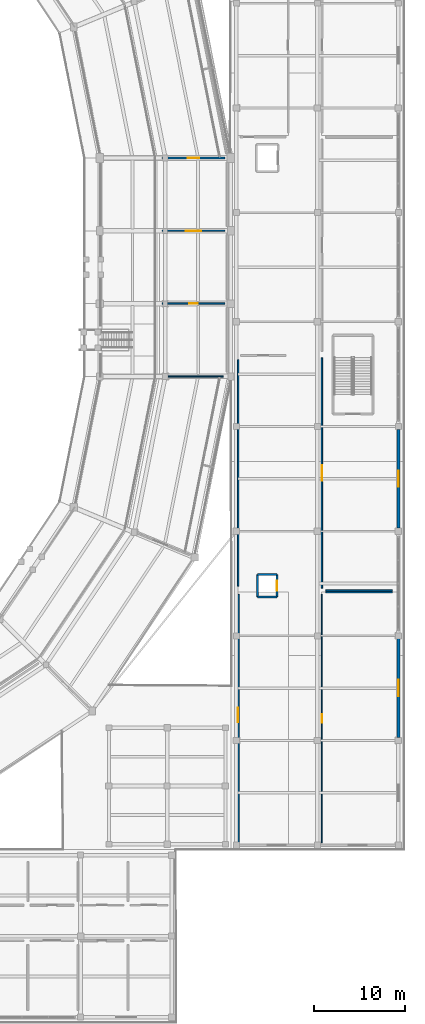
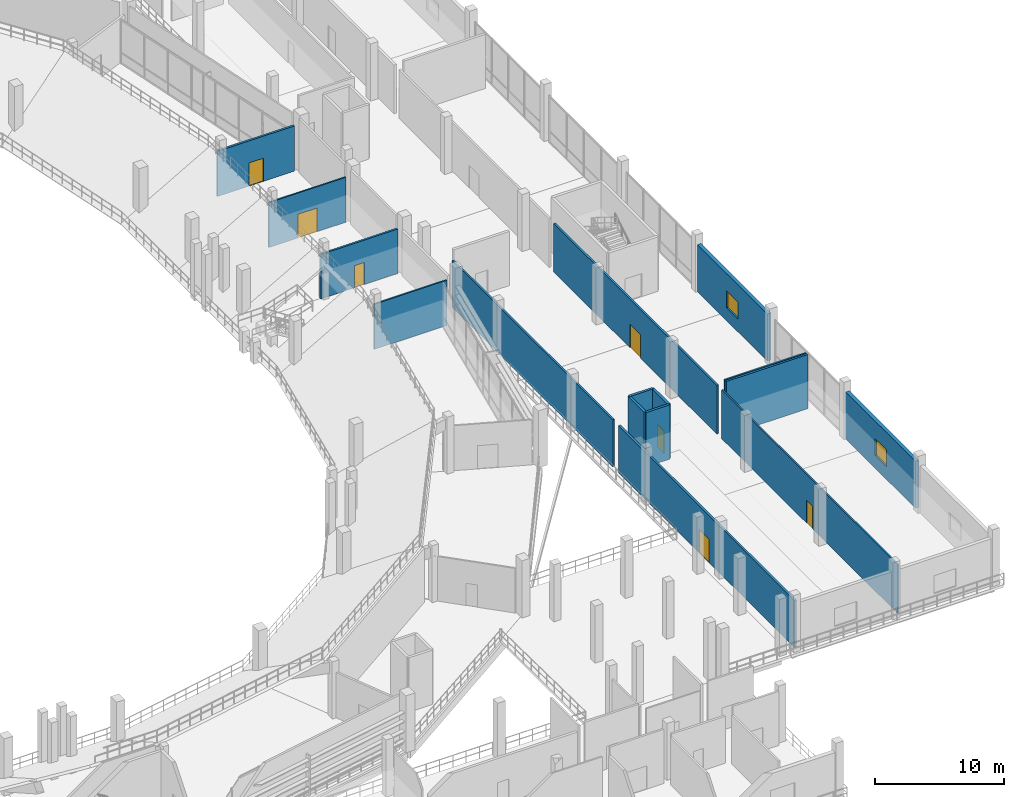
# One storey, part 80 of 127: 16 walls, 7 doors, 2 windows, 9 openings.
"""IFC4 building model written with IfcOpenShell, lengths in metres."""

import ifcopenshell
import ifcopenshell.guid

model = None  # the IFC model being written
_history = None  # IfcOwnerHistory: only IFC2X3 demands one
_inside = {}  # id of a spatial element -> (the spatial element, [elements in it])
_under = {}  # id of a project, library or spatial element -> (it, [spatial elements below it])
_declared = {}  # id of a project -> (the project, [libraries it declares])
_typed = {}  # id of a type object -> (the type object, [elements of that type])
_made_of = {}  # id of a material, layer set ... -> (it, [elements and type objects made of it])


def new_model(schema):
    """Start an empty IFC model of exactly this schema.

    Asked for "IFC4X3", IfcOpenShell would pick the latest addendum, in which some entities
    have other attributes; the version numbers below select the first issue.
    IFC2X3 requires an IfcOwnerHistory on every rooted entity: one is made here for all.
    """
    global model, _history
    if schema == "IFC4X3":
        model = ifcopenshell.file(schema_version=(4, 3, 0, 0))
    else:
        model = ifcopenshell.file(schema=schema)
    _inside.clear()
    _under.clear()
    _declared.clear()
    _typed.clear()
    _made_of.clear()
    _history = None
    if model.schema == "IFC2X3":
        org = make("IfcOrganization", Name="unknown")
        user = make(
            "IfcPersonAndOrganization",
            ThePerson=make("IfcPerson", FamilyName="unknown"),
            TheOrganization=org,
        )
        app = make(
            "IfcApplication",
            ApplicationDeveloper=org,
            Version="unknown",
            ApplicationFullName="unknown",
            ApplicationIdentifier="unknown",
        )
        _history = make(
            "IfcOwnerHistory",
            OwningUser=user,
            OwningApplication=app,
            ChangeAction="ADDED",
            CreationDate=0,
        )
    return model


def make(cls, **values):
    """One entity of the class cls with the attributes given. An attribute that is None is left unset."""
    return model.create_entity(
        cls, **{name: value for name, value in values.items() if value is not None}
    )


def rooted(cls, **values):
    """An entity with a GlobalId (a new one), such as an element, a storey or a relation."""
    return make(cls, GlobalId=ifcopenshell.guid.new(), OwnerHistory=_history, **values)


def si_unit(unit_type, name, prefix=None):
    """IfcSIUnit, for example si_unit("LENGTHUNIT", "METRE", prefix="MILLI")."""
    return make("IfcSIUnit", UnitType=unit_type, Prefix=prefix, Name=name)


def assignment(units):
    """IfcUnitAssignment: the units of a project."""
    return None if units is None else make("IfcUnitAssignment", Units=units)


def point(xyz):
    """IfcCartesianPoint."""
    return None if xyz is None else make("IfcCartesianPoint", Coordinates=xyz)


def direction(xyz):
    """IfcDirection."""
    return None if xyz is None else make("IfcDirection", DirectionRatios=xyz)


def frame(location, z_axis=None, x_axis=None):
    """IfcAxis2Placement3D, a coordinate frame: its origin and axes. An axis left out is left unset."""
    return make(
        "IfcAxis2Placement3D",
        Location=point(location),
        Axis=direction(z_axis),
        RefDirection=direction(x_axis),
    )


def frame_2d(location, x_axis=None):
    """IfcAxis2Placement2D, a coordinate frame in the plane: its origin and x axis."""
    return make(
        "IfcAxis2Placement2D", Location=point(location), RefDirection=direction(x_axis)
    )


def origin():
    """The frame at (0, 0, 0) with its axes left unset."""
    return frame((0.0, 0.0, 0.0))


def place(relative_to, where):
    """IfcLocalPlacement: puts the frame where relative to a parent placement (None: the world)."""
    return make(
        "IfcLocalPlacement", PlacementRelTo=relative_to, RelativePlacement=where
    )


def context(
    kind, dimensions, precision=None, world=None, true_north=None, identifier=None
):
    """IfcGeometricRepresentationContext, for example the 3D "Model" context."""
    return make(
        "IfcGeometricRepresentationContext",
        ContextIdentifier=identifier,
        ContextType=kind,
        CoordinateSpaceDimension=dimensions,
        Precision=precision,
        WorldCoordinateSystem=world,
        TrueNorth=true_north,
    )


def subcontext(parent, identifier, kind, view, scale=None):
    """IfcGeometricRepresentationSubContext, for example "Body" below "Model"."""
    return make(
        "IfcGeometricRepresentationSubContext",
        ContextIdentifier=identifier,
        ContextType=kind,
        ParentContext=parent,
        TargetScale=scale,
        TargetView=view,
    )


def project(units=None, contexts=None):
    """IfcProject with its units and contexts."""
    return rooted(
        "IfcProject",
        Name="project",
        RepresentationContexts=contexts,
        UnitsInContext=assignment(units),
    )


def spatial(cls, under=None, at=None, **own):
    """A site, building, storey or space (cls), placed at a placement, below another one or the project."""
    s = rooted(cls, ObjectPlacement=at, **own)
    if under is not None:
        _under.setdefault(under.id(), (under, []))[1].append(s)
    return s


def profile(cls, at=None, kind="AREA", **sizes):
    """A parametric profile (cls). Its sizes go by their IFC names, for example OverallWidth=200.0."""
    return make(cls, ProfileType=kind, Position=at, **sizes)


def rectangle(**sizes):
    """IfcRectangleProfileDef."""
    return profile("IfcRectangleProfileDef", **sizes)


def extrude(swept, where, along, depth):
    """IfcExtrudedAreaSolid: the profile swept, set in the frame where, extruded along a direction by depth."""
    return make(
        "IfcExtrudedAreaSolid",
        SweptArea=swept,
        Position=where,
        ExtrudedDirection=direction(along),
        Depth=depth,
    )


def shape(context_of_items, identifier, shape_type, items):
    """IfcShapeRepresentation: the items that make up one representation, for example the "Body"."""
    return make(
        "IfcShapeRepresentation",
        ContextOfItems=context_of_items,
        RepresentationIdentifier=identifier,
        RepresentationType=shape_type,
        Items=items,
    )


def material(Name=None, Category=None):
    """IfcMaterial."""
    return make("IfcMaterial", Name=Name, Category=Category)


def layer(
    of_material, thickness, ventilated=None, Name=None, Category=None, Priority=None
):
    """IfcMaterialLayer: one layer of a wall or slab, of a material (None: an air gap)."""
    return make(
        "IfcMaterialLayer",
        Material=of_material,
        LayerThickness=thickness,
        IsVentilated=ventilated,
        Name=Name,
        Category=Category,
        Priority=Priority,
    )


def layer_set(layers, Name=None):
    """IfcMaterialLayerSet."""
    return make("IfcMaterialLayerSet", MaterialLayers=layers, LayerSetName=Name)


def made_of(thing, what):
    """Note that an element or type object is made of a material, layer set ...; save() writes the relation."""
    if what is not None:
        _made_of.setdefault(what.id(), (what, []))[1].append(thing)
    return thing


def type_object(cls, material=None, **own):
    """A type object (cls), such as IfcWallType, which elements share."""
    return made_of(rooted(cls, **own), material)


def element(
    cls,
    number,
    at=None,
    inside=None,
    cuts=None,
    type_object=None,
    material=None,
    context=None,
    identifier="Body",
    shape_type=None,
    held_by="IfcProductDefinitionShape",
    body=None,
    shapes=None,
    **own,
):
    """One element of the class cls, such as IfcWall. Its Tag is "e" and its number.

    at: its placement. inside: the storey or other place that contains it. cuts: it is an
    opening in that element (IfcRelVoidsElement). A single representation is given by context,
    identifier, shape_type and body (its items); several are given by shapes. held_by: the class
    of the entity that holds the representations. save() writes the other relations.
    """
    e = rooted(cls, Tag="e%d" % number, ObjectPlacement=at, **own)
    if body is not None:
        shapes = [shape(context, identifier, shape_type, body)]
    if shapes is not None:
        e.Representation = make(held_by, Representations=shapes)
    if inside is not None:
        _inside.setdefault(inside.id(), (inside, []))[1].append(e)
    if cuts is not None:
        rooted(
            "IfcRelVoidsElement", RelatingBuildingElement=cuts, RelatedOpeningElement=e
        )
    if type_object is not None:
        _typed.setdefault(type_object.id(), (type_object, []))[1].append(e)
    return made_of(e, material)


def fill(opening, filler):
    """IfcRelFillsElement: the door or window that sits in an opening."""
    return rooted(
        "IfcRelFillsElement",
        RelatingOpeningElement=opening,
        RelatedBuildingElement=filler,
    )


def aggregate(whole, parts):
    """IfcRelAggregates: a whole, such as a stair, and the parts it consists of."""
    return rooted("IfcRelAggregates", RelatingObject=whole, RelatedObjects=parts)


def save(model, path):
    """Write the relations noted so far, then the file.

    IfcRelAggregates (storeys below a building ...), IfcRelContainedInSpatialStructure (elements
    in a storey), IfcRelDefinesByType, IfcRelAssociatesMaterial and IfcRelDeclares: one each for
    every whole, place, type object, material and project.
    """
    for whole, parts in _under.values():
        aggregate(whole, parts)
    for where, things in _inside.values():
        rooted(
            "IfcRelContainedInSpatialStructure",
            RelatedElements=things,
            RelatingStructure=where,
        )
    for kind, things in _typed.values():
        rooted("IfcRelDefinesByType", RelatedObjects=things, RelatingType=kind)
    for what, things in _made_of.values():
        rooted("IfcRelAssociatesMaterial", RelatedObjects=things, RelatingMaterial=what)
    for by, libraries in _declared.values():
        rooted("IfcRelDeclares", RelatingContext=by, RelatedDefinitions=libraries)
    model.write(path)


model = new_model("IFC4")

# Units and contexts
model_context = context("Model", 3, precision=1e-05, world=origin(), true_north=direction((0.0, 1.0)))
body_context = subcontext(model_context, "Body", "Model", "MODEL_VIEW")
ifc_project = project(units=[si_unit("LENGTHUNIT", "METRE"), si_unit("AREAUNIT", "SQUARE_METRE"), si_unit("VOLUMEUNIT", "CUBIC_METRE"), si_unit("PLANEANGLEUNIT", "RADIAN"), si_unit("MASSUNIT", "GRAM", prefix="KILO")], contexts=[model_context])

# Site, building, storey
site_placement = place(None, origin())
site = spatial("IfcSite", under=ifc_project, at=site_placement, CompositionType="ELEMENT")
building_placement = place(site_placement, origin())
building = spatial("IfcBuilding", under=site, at=building_placement, Name="Candeia Ridge Stadium", CompositionType="ELEMENT")
storey_placement = place(building_placement, frame((0.0, 0.0, 10.800048828125)))
storey = spatial("IfcBuildingStorey", under=building, at=storey_placement, Name="L02", CompositionType="ELEMENT", Elevation=10.800048828125)

# Wall
ifc_material_1 = material(Name="Concrete Masonry Blockwork C25/30", Category="masonry")
ifc_layer_1 = layer(ifc_material_1, 0.14990234375, Name="Concrete Masonry Blockwork C25/30", Category="masonry")
ifc_layer_set_1 = layer_set([ifc_layer_1], Name="Concrete Masonry Blockwork C25/30")
wall_type_1 = type_object("IfcWallType", Name="Concourse Kiosk Partition 150", PredefinedType="PARTITIONING", material=ifc_layer_set_1)
wall_1_placement = place(storey_placement, frame((210.75, 47.5, 0.0), z_axis=(0.0, 0.0, 1.0), x_axis=(-1.0, 0.0, 0.0)))
element("IfcWall", 1, at=wall_1_placement, inside=storey, type_object=wall_type_1, Name="Demising partition PT-L02-0363", PredefinedType="PARTITIONING", context=body_context, shape_type="SweptSolid", body=[
    extrude(rectangle(XDim=7.300048828125, YDim=0.14990234375, at=frame_2d((3.64990234375, 0.0))), origin(), (0.0, 0.0, 1.0), 5.119873046875),
])

# Wall, opening, window
ifc_material_2 = material(Name="Concrete C35/45", Category="concrete")
ifc_layer_2 = layer(ifc_material_2, 0.320068359375, Name="Concrete C35/45", Category="concrete")
ifc_layer_set_2 = layer_set([ifc_layer_2], Name="Concrete C35/45")
wall_type_2 = type_object("IfcWallType", Name="Exterior Cedar-Clad Insulated Wall 320", PredefinedType="SOLIDWALL", material=ifc_layer_set_2)
wall_2_placement = place(storey_placement, frame((211.39990234375, 31.337890625, 0.0), z_axis=(0.0, 0.0, 1.0), x_axis=(0.0, 1.0, 0.0)))
wall_2 = element("IfcWall", 2, at=wall_2_placement, inside=storey, type_object=wall_type_2, Name="Exterior facade wall EW-L02-0145", PredefinedType="SOLIDWALL", context=body_context, shape_type="SweptSolid", body=[
    extrude(rectangle(XDim=10.84912109375, YDim=0.320068359375, at=frame_2d((5.424560546875, 0.0))), origin(), (0.0, 0.0, 1.0), 4.454833984375),
])
opening_1_placement = place(wall_2_placement, frame((4.5244140625, 0.0, 1.199951171875)))
opening_1 = element("IfcOpeningElement", 3, at=opening_1_placement, cuts=wall_2, Name="Opening W08", PredefinedType="OPENING", context=body_context, shape_type="SweptSolid", body=[
    extrude(rectangle(XDim=1.800048828125, YDim=1.60009765625, at=frame_2d((0.89990234375, 0.800048828125))), frame((0.0, 0.169921875, 0.0), z_axis=(0.0, -1.0, 0.0), x_axis=(1.0, 0.0, 0.0)), (0.0, 0.0, 1.0), 0.340087890625),
])
ifc_material_3 = material(Name="Tempered Solar-Control Double Glazing", Category="glass")
window_type = type_object("IfcWindowType", Name="Athlete Suite Window 1800x1600", PartitioningType="SINGLE_PANEL", PredefinedType="WINDOW", material=ifc_material_3)
window_1_placement = place(opening_1_placement, origin())
window_1 = element("IfcWindow", 4, at=window_1_placement, inside=storey, type_object=window_type, Name="Exterior window WIN-L02-082", OverallHeight=1.60009765625, OverallWidth=1.800048828125, PartitioningType="SINGLE_PANEL", PredefinedType="WINDOW", context=body_context, shape_type="SweptSolid", body=[
    extrude(rectangle(XDim=1.800048828125, YDim=1.60009765625, at=frame_2d((0.89990234375, 0.800048828125))), frame((0.0, 0.030029296875, 0.0), z_axis=(0.0, -1.0, 0.0), x_axis=(1.0, 0.0, 0.0)), (0.0, 0.0, 1.0), 0.06005859375),
])
fill(opening_1, window_1)

wall_3_placement = place(storey_placement, frame((211.39990234375, 54.337890625, 0.0), z_axis=(0.0, 0.0, 1.0), x_axis=(0.0, 1.0, 0.0)))
wall_3 = element("IfcWall", 5, at=wall_3_placement, inside=storey, type_object=wall_type_2, Name="Exterior facade wall EW-L02-0146", PredefinedType="SOLIDWALL", context=body_context, shape_type="SweptSolid", body=[
    extrude(rectangle(XDim=10.84912109375, YDim=0.320068359375, at=frame_2d((5.424560546875, 0.0))), origin(), (0.0, 0.0, 1.0), 4.454833984375),
])
opening_2_placement = place(wall_3_placement, frame((4.5244140625, 0.0, 1.199951171875)))
opening_2 = element("IfcOpeningElement", 6, at=opening_2_placement, cuts=wall_3, Name="Opening W08", PredefinedType="OPENING", context=body_context, shape_type="SweptSolid", body=[
    extrude(rectangle(XDim=1.800048828125, YDim=1.60009765625, at=frame_2d((0.89990234375, 0.800048828125))), frame((0.0, 0.169921875, 0.0), z_axis=(0.0, -1.0, 0.0), x_axis=(1.0, 0.0, 0.0)), (0.0, 0.0, 1.0), 0.340087890625),
])
window_2_placement = place(opening_2_placement, origin())
window_2 = element("IfcWindow", 7, at=window_2_placement, inside=storey, type_object=window_type, Name="Exterior window WIN-L02-083", OverallHeight=1.60009765625, OverallWidth=1.800048828125, PartitioningType="SINGLE_PANEL", PredefinedType="WINDOW", context=body_context, shape_type="SweptSolid", body=[
    extrude(rectangle(XDim=1.800048828125, YDim=1.60009765625, at=frame_2d((0.89990234375, 0.800048828125))), frame((0.0, 0.030029296875, 0.0), z_axis=(0.0, -1.0, 0.0), x_axis=(1.0, 0.0, 0.0)), (0.0, 0.0, 1.0), 0.06005859375),
])
fill(opening_2, window_2)

# Wall, opening, door
ifc_material_4 = material(Name="Gypsum Metal-Stud Partition", Category="gypsum")
ifc_layer_3 = layer(ifc_material_4, 0.135009765625, Name="Gypsum Metal-Stud Partition", Category="gypsum")
ifc_layer_set_3 = layer_set([ifc_layer_3], Name="Gypsum Metal-Stud Partition")
wall_type_3 = type_object("IfcWallType", Name="General Room Partition 135", PredefinedType="PARTITIONING", material=ifc_layer_set_3)
wall_4_placement = place(storey_placement, frame((203.0, 19.75, 0.0), z_axis=(0.0, 0.0, 1.0), x_axis=(0.0, 1.0, 0.0)))
wall_4 = element("IfcWall", 8, at=wall_4_placement, inside=storey, type_object=wall_type_3, Name="Interior partition PT-L02-0358", PredefinedType="PARTITIONING", context=body_context, shape_type="SweptSolid", body=[
    extrude(rectangle(XDim=27.300048828125, YDim=0.135009765625, at=frame_2d((13.64990234375, 0.0))), origin(), (0.0, 0.0, 1.0), 4.60498046875),
])
opening_3_placement = place(wall_4_placement, frame((13.175048828125, 0.0, 0.0)))
opening_3 = element("IfcOpeningElement", 9, at=opening_3_placement, cuts=wall_4, Name="Opening ID05", PredefinedType="OPENING", context=body_context, shape_type="SweptSolid", body=[
    extrude(rectangle(XDim=0.949951171875, YDim=2.14990234375, at=frame_2d((0.47509765625, 1.074951171875))), frame((0.0, 0.077392578125, 0.0), z_axis=(0.0, -1.0, 0.0), x_axis=(1.0, 0.0, 0.0)), (0.0, 0.0, 1.0), 0.155029296875),
])
ifc_material_5 = material(Name="Solid Core Cedar Veneer", Category="wood")
door_type_1 = type_object("IfcDoorType", Name="General Room Single Door 950x2150", OperationType="NOTDEFINED", PredefinedType="DOOR", material=ifc_material_5)
door_1_placement = place(opening_3_placement, frame((0.949951171875, 0.0, 0.0), z_axis=(0.0, 0.0, 1.0), x_axis=(-1.0, 0.0, 0.0)))
door_1 = element("IfcDoor", 10, at=door_1_placement, inside=storey, type_object=door_type_1, Name="Interior room door D-L02-0186", OperationType="SINGLE_SWING_RIGHT", OverallHeight=2.14990234375, OverallWidth=0.949951171875, PredefinedType="DOOR", context=body_context, shape_type="SweptSolid", body=[
    extrude(rectangle(XDim=0.949951171875, YDim=2.14990234375, at=frame_2d((0.47509765625, 1.074951171875))), frame((0.0, 0.02490234375, 0.0), z_axis=(0.0, -1.0, 0.0), x_axis=(1.0, 0.0, 0.0)), (0.0, 0.0, 1.0), 0.050048828125),
])
fill(opening_3, door_1)

# Walls
wall_5_placement = place(storey_placement, frame((185.64990234375, 71.0, 0.0), z_axis=(0.0, 0.0, 1.0), x_axis=(1.0, 0.0, 0.0)))
element("IfcWall", 11, at=wall_5_placement, inside=storey, type_object=wall_type_3, Name="Demising partition PT-L02-0490", PredefinedType="PARTITIONING", context=body_context, shape_type="SweptSolid", body=[
    extrude(rectangle(XDim=6.5, YDim=0.135009765625, at=frame_2d((3.25, 0.0))), origin(), (0.0, 0.0, 1.0), 4.284912109375),
])
ifc_material_6 = material(Name="Gypsum Acoustic Twin-Stud Assembly", Category="gypsum")
ifc_layer_4 = layer(ifc_material_6, 0.1650390625, Name="Gypsum Acoustic Twin-Stud Assembly", Category="gypsum")
ifc_layer_set_4 = layer_set([ifc_layer_4], Name="Gypsum Acoustic Twin-Stud Assembly")
wall_type_4 = type_object("IfcWallType", Name="Hospitality Suite Acoustic Wall 165", PredefinedType="PARTITIONING", material=ifc_layer_set_4)
wall_6_placement = place(storey_placement, frame((193.800048828125, 47.949951171875, 0.0), z_axis=(0.0, 0.0, 1.0), x_axis=(0.0, 1.0, 0.0)))
element("IfcWall", 12, at=wall_6_placement, inside=storey, type_object=wall_type_4, Name="Demising partition PT-L02-0361", PredefinedType="PARTITIONING", context=body_context, shape_type="SweptSolid", body=[
    extrude(rectangle(XDim=24.900146484375, YDim=0.1650390625, at=frame_2d((12.4501953125, 0.0))), origin(), (0.0, 0.0, 1.0), 4.454833984375),
])
ifc_material_7 = material(Name="Concrete C40/50", Category="concrete")
ifc_layer_5 = layer(ifc_material_7, 0.219970703125, Name="Concrete C40/50", Category="concrete")
ifc_layer_set_5 = layer_set([ifc_layer_5], Name="Concrete C40/50")
wall_type_5 = type_object("IfcWallType", Name="Lift & Riser Shaft Wall 220", PredefinedType="SHEAR", material=ifc_layer_set_5)
wall_7_placement = place(storey_placement, frame((195.93994140625, 46.739990234375, 0.0), z_axis=(0.0, 0.0, 1.0), x_axis=(1.0, 0.0, 0.0)))
element("IfcWall", 13, at=wall_7_placement, inside=storey, type_object=wall_type_5, Name="Lift PL8 shaft wall L02 south", PredefinedType="SHEAR", context=body_context, shape_type="SweptSolid", body=[
    extrude(rectangle(XDim=2.1201171875, YDim=0.219970703125, at=frame_2d((1.06005859375, 0.0))), origin(), (0.0, 0.0, 1.0), 5.14990234375),
])

# Wall, opening, door
wall_8_placement = place(storey_placement, frame((198.06005859375, 46.739990234375, 0.0), z_axis=(0.0, 0.0, 1.0), x_axis=(0.0, 1.0, 0.0)))
wall_8 = element("IfcWall", 14, at=wall_8_placement, inside=storey, type_object=wall_type_5, Name="Lift PL8 shaft wall L02 east", PredefinedType="SHEAR", context=body_context, shape_type="SweptSolid", body=[
    extrude(rectangle(XDim=2.52001953125, YDim=0.219970703125, at=frame_2d((1.260009765625, 0.0))), origin(), (0.0, 0.0, 1.0), 5.14990234375),
])
opening_4_placement = place(wall_8_placement, frame((0.735107421875, 0.0, 0.0)))
opening_4 = element("IfcOpeningElement", 15, at=opening_4_placement, cuts=wall_8, Name="Opening LD02", PredefinedType="OPENING", context=body_context, shape_type="SweptSolid", body=[
    extrude(rectangle(XDim=1.050048828125, YDim=2.14990234375, at=frame_2d((0.52490234375, 1.074951171875))), frame((0.0, 0.119873046875, 0.0), z_axis=(0.0, -1.0, 0.0), x_axis=(1.0, 0.0, 0.0)), (0.0, 0.0, 1.0), 0.239990234375),
])
ifc_material_8 = material(Name="Brushed Stainless Steel", Category="steel")
door_type_2 = type_object("IfcDoorType", Name="Passenger Lift Landing Door 1050x2150", OperationType="NOTDEFINED", PredefinedType="DOOR", material=ifc_material_8)
door_2_placement = place(opening_4_placement, origin())
door_2 = element("IfcDoor", 16, at=door_2_placement, inside=storey, type_object=door_type_2, Name="Lift landing sliding door LD-PL8-L02", OperationType="DOUBLE_DOOR_SLIDING", OverallHeight=2.14990234375, OverallWidth=1.050048828125, PredefinedType="DOOR", context=body_context, shape_type="SweptSolid", body=[
    extrude(rectangle(XDim=1.050048828125, YDim=2.14990234375, at=frame_2d((0.52490234375, 1.074951171875))), frame((0.0, 0.02490234375, 0.0), z_axis=(0.0, -1.0, 0.0), x_axis=(1.0, 0.0, 0.0)), (0.0, 0.0, 1.0), 0.050048828125),
])
fill(opening_4, door_2)

# Walls
wall_9_placement = place(storey_placement, frame((198.06005859375, 49.260009765625, 0.0), z_axis=(0.0, 0.0, 1.0), x_axis=(-1.0, 0.0, 0.0)))
element("IfcWall", 17, at=wall_9_placement, inside=storey, type_object=wall_type_5, Name="Lift PL8 shaft wall L02 north", PredefinedType="SHEAR", context=body_context, shape_type="SweptSolid", body=[
    extrude(rectangle(XDim=2.1201171875, YDim=0.219970703125, at=frame_2d((1.06005859375, 0.0))), origin(), (0.0, 0.0, 1.0), 5.14990234375),
])
wall_10_placement = place(storey_placement, frame((195.93994140625, 49.260009765625, 0.0), z_axis=(0.0, 0.0, 1.0), x_axis=(0.0, -1.0, 0.0)))
element("IfcWall", 18, at=wall_10_placement, inside=storey, type_object=wall_type_5, Name="Lift PL8 shaft wall L02 west", PredefinedType="SHEAR", context=body_context, shape_type="SweptSolid", body=[
    extrude(rectangle(XDim=2.52001953125, YDim=0.219970703125, at=frame_2d((1.260009765625, 0.0))), origin(), (0.0, 0.0, 1.0), 5.14990234375),
])

# Wall, opening, door
ifc_material_9 = material(Name="Gypsum Acoustic Triple-Board Wall", Category="gypsum")
ifc_layer_6 = layer(ifc_material_9, 0.18994140625, Name="Gypsum Acoustic Triple-Board Wall", Category="gypsum")
ifc_layer_set_6 = layer_set([ifc_layer_6], Name="Gypsum Acoustic Triple-Board Wall")
wall_type_6 = type_object("IfcWallType", Name="Media & Commentary Studio Wall 190", PredefinedType="PARTITIONING", material=ifc_layer_set_6)
wall_11_placement = place(storey_placement, frame((193.800048828125, 19.75, 0.0), z_axis=(0.0, 0.0, 1.0), x_axis=(0.0, 1.0, 0.0)))
wall_11 = element("IfcWall", 19, at=wall_11_placement, inside=storey, type_object=wall_type_6, Name="Interior partition PT-L02-0357", PredefinedType="PARTITIONING", context=body_context, shape_type="SweptSolid", body=[
    extrude(rectangle(XDim=27.300048828125, YDim=0.18994140625, at=frame_2d((13.64990234375, 0.0))), origin(), (0.0, 0.0, 1.0), 4.454833984375),
])
opening_5_placement = place(wall_11_placement, frame((13.25, 0.0, 0.0)))
opening_5 = element("IfcOpeningElement", 20, at=opening_5_placement, cuts=wall_11, Name="Opening ID03", PredefinedType="OPENING", context=body_context, shape_type="SweptSolid", body=[
    extrude(rectangle(XDim=1.60009765625, YDim=2.199951171875, at=frame_2d((0.800048828125, 1.10009765625))), frame((0.0, 0.10498046875, 0.0), z_axis=(0.0, -1.0, 0.0), x_axis=(1.0, 0.0, 0.0)), (0.0, 0.0, 1.0), 0.2099609375),
])
ifc_material_10 = material(Name="Solid Core Hardwood Veneer", Category="wood")
door_type_3 = type_object("IfcDoorType", Name="Athlete Dressing Double Door 1600x2200", OperationType="NOTDEFINED", PredefinedType="DOOR", material=ifc_material_10)
door_3_placement = place(opening_5_placement, origin())
door_3 = element("IfcDoor", 21, at=door_3_placement, inside=storey, type_object=door_type_3, Name="Interior room door D-L02-0185", OperationType="DOUBLE_DOOR_SINGLE_SWING", OverallHeight=2.199951171875, OverallWidth=1.60009765625, PredefinedType="DOOR", context=body_context, shape_type="SweptSolid", body=[
    extrude(rectangle(XDim=1.60009765625, YDim=2.199951171875, at=frame_2d((0.800048828125, 1.10009765625))), frame((0.0, 0.02490234375, 0.0), z_axis=(0.0, -1.0, 0.0), x_axis=(1.0, 0.0, 0.0)), (0.0, 0.0, 1.0), 0.050048828125),
])
fill(opening_5, door_3)

wall_12_placement = place(storey_placement, frame((185.449951171875, 95.0, 0.0), z_axis=(0.0, 0.0, 1.0), x_axis=(1.0, 0.0, 0.0)))
wall_12 = element("IfcWall", 22, at=wall_12_placement, inside=storey, type_object=wall_type_6, Name="Interior partition PT-L02-0495", PredefinedType="PARTITIONING", context=body_context, shape_type="SweptSolid", body=[
    extrude(rectangle(XDim=6.900146484375, YDim=0.18994140625, at=frame_2d((3.4501953125, 0.0))), origin(), (0.0, 0.0, 1.0), 4.284912109375),
])
opening_6_placement = place(wall_12_placement, frame((2.800048828125, 0.0, 0.0)))
opening_6 = element("IfcOpeningElement", 23, at=opening_6_placement, cuts=wall_12, Name="Opening ID13", PredefinedType="OPENING", context=body_context, shape_type="SweptSolid", body=[
    extrude(rectangle(XDim=1.300048828125, YDim=2.199951171875, at=frame_2d((0.64990234375, 1.10009765625))), frame((0.0, 0.10498046875, 0.0), z_axis=(0.0, -1.0, 0.0), x_axis=(1.0, 0.0, 0.0)), (0.0, 0.0, 1.0), 0.2099609375),
])
ifc_material_11 = material(Name="Moisture-Resistant Laminate", Category="wood")
door_type_4 = type_object("IfcDoorType", Name="Medical Clinic Wide Door 1300x2200", OperationType="NOTDEFINED", PredefinedType="DOOR", material=ifc_material_11)
door_4_placement = place(opening_6_placement, origin())
door_4 = element("IfcDoor", 24, at=door_4_placement, inside=storey, type_object=door_type_4, Name="Interior room door D-L02-0255", OperationType="SINGLE_SWING_LEFT", OverallHeight=2.199951171875, OverallWidth=1.300048828125, PredefinedType="DOOR", context=body_context, shape_type="SweptSolid", body=[
    extrude(rectangle(XDim=1.300048828125, YDim=2.199951171875, at=frame_2d((0.64990234375, 1.10009765625))), frame((0.0, 0.02490234375, 0.0), z_axis=(0.0, -1.0, 0.0), x_axis=(1.0, 0.0, 0.0)), (0.0, 0.0, 1.0), 0.050048828125),
])
fill(opening_6, door_4)

# Wall
ifc_layer_7 = layer(ifc_material_9, 0.18505859375, Name="Gypsum Acoustic Triple-Board Wall", Category="gypsum")
ifc_layer_set_7 = layer_set([ifc_layer_7], Name="Gypsum Acoustic Triple-Board Wall")
wall_type_7 = type_object("IfcWallType", Name="Media Booth Studio Divider 185", PredefinedType="PARTITIONING", material=ifc_layer_set_7)
wall_13_placement = place(storey_placement, frame((203.449951171875, 47.300048828125, 0.0), z_axis=(0.0, 0.0, 1.0), x_axis=(1.0, 0.0, 0.0)))
element("IfcWall", 25, at=wall_13_placement, inside=storey, type_object=wall_type_7, Name="Demising partition PT-L02-0359", PredefinedType="PARTITIONING", context=body_context, shape_type="SweptSolid", body=[
    extrude(rectangle(XDim=7.300048828125, YDim=0.18505859375, at=frame_2d((3.64990234375, 0.0))), origin(), (0.0, 0.0, 1.0), 5.119873046875),
])

# Wall, opening, door
ifc_layer_8 = layer(ifc_material_6, 0.175048828125, Name="Gypsum Acoustic Twin-Stud Assembly", Category="gypsum")
ifc_layer_set_8 = layer_set([ifc_layer_8], Name="Gypsum Acoustic Twin-Stud Assembly")
wall_type_8 = type_object("IfcWallType", Name="Museum Acoustic Gallery Wall 175", PredefinedType="PARTITIONING", material=ifc_layer_set_8)
wall_14_placement = place(storey_placement, frame((185.449951171875, 79.0, 0.0), z_axis=(0.0, 0.0, 1.0), x_axis=(1.0, 0.0, 0.0)))
wall_14 = element("IfcWall", 26, at=wall_14_placement, inside=storey, type_object=wall_type_8, Name="Interior partition PT-L02-0491", PredefinedType="PARTITIONING", context=body_context, shape_type="SweptSolid", body=[
    extrude(rectangle(XDim=6.900146484375, YDim=0.175048828125, at=frame_2d((3.4501953125, 0.0))), origin(), (0.0, 0.0, 1.0), 4.21484375),
])
opening_7_placement = place(wall_14_placement, frame((3.0, 0.0, 0.0)))
opening_7 = element("IfcOpeningElement", 27, at=opening_7_placement, cuts=wall_14, Name="Opening ID07", PredefinedType="OPENING", context=body_context, shape_type="SweptSolid", body=[
    extrude(rectangle(XDim=0.89990234375, YDim=2.10009765625, at=frame_2d((0.449951171875, 1.050048828125))), frame((0.0, 0.097412109375, 0.0), z_axis=(0.0, -1.0, 0.0), x_axis=(1.0, 0.0, 0.0)), (0.0, 0.0, 1.0), 0.195068359375),
])
door_type_5 = type_object("IfcDoorType", Name="Sanitary Lobby Single Door 900x2100", OperationType="NOTDEFINED", PredefinedType="DOOR", material=ifc_material_11)
door_5_placement = place(opening_7_placement, frame((0.89990234375, 0.0, 0.0), z_axis=(0.0, 0.0, 1.0), x_axis=(-1.0, 0.0, 0.0)))
door_5 = element("IfcDoor", 28, at=door_5_placement, inside=storey, type_object=door_type_5, Name="Interior room door D-L02-0253", OperationType="SINGLE_SWING_RIGHT", OverallHeight=2.10009765625, OverallWidth=0.89990234375, PredefinedType="DOOR", context=body_context, shape_type="SweptSolid", body=[
    extrude(rectangle(XDim=0.89990234375, YDim=2.10009765625, at=frame_2d((0.449951171875, 1.050048828125))), frame((0.0, 0.02490234375, 0.0), z_axis=(0.0, -1.0, 0.0), x_axis=(1.0, 0.0, 0.0)), (0.0, 0.0, 1.0), 0.050048828125),
])
fill(opening_7, door_5)

ifc_layer_9 = layer(ifc_material_6, 0.169921875, Name="Gypsum Acoustic Twin-Stud Assembly", Category="gypsum")
ifc_layer_set_9 = layer_set([ifc_layer_9], Name="Gypsum Acoustic Twin-Stud Assembly")
wall_type_9 = type_object("IfcWallType", Name="Skybox Demising Acoustic Wall 170", PredefinedType="PARTITIONING", material=ifc_layer_set_9)
wall_15_placement = place(storey_placement, frame((203.0, 47.75, 0.0), z_axis=(0.0, 0.0, 1.0), x_axis=(0.0, 1.0, 0.0)))
wall_15 = element("IfcWall", 29, at=wall_15_placement, inside=storey, type_object=wall_type_9, Name="Interior partition PT-L02-0362", PredefinedType="PARTITIONING", context=body_context, shape_type="SweptSolid", body=[
    extrude(rectangle(XDim=25.300048828125, YDim=0.169921875, at=frame_2d((12.64990234375, 0.0))), origin(), (0.0, 0.0, 1.0), 4.60498046875),
])
opening_8_placement = place(wall_15_placement, frame((11.800048828125, 0.0, 0.0)))
opening_8 = element("IfcOpeningElement", 30, at=opening_8_placement, cuts=wall_15, Name="Opening ID09", PredefinedType="OPENING", context=body_context, shape_type="SweptSolid", body=[
    extrude(rectangle(XDim=1.699951171875, YDim=2.25, at=frame_2d((0.85009765625, 1.125))), frame((0.0, 0.094970703125, 0.0), z_axis=(0.0, -1.0, 0.0), x_axis=(1.0, 0.0, 0.0)), (0.0, 0.0, 1.0), 0.18994140625),
])
ifc_material_12 = material(Name="Timber Fire-Rated Acoustic", Category="wood")
door_type_6 = type_object("IfcDoorType", Name="Founders Lounge Double Door 1700x2250", OperationType="NOTDEFINED", PredefinedType="DOOR", material=ifc_material_12)
door_6_placement = place(opening_8_placement, origin())
door_6 = element("IfcDoor", 31, at=door_6_placement, inside=storey, type_object=door_type_6, Name="Interior room door D-L02-0188", OperationType="DOUBLE_DOOR_SINGLE_SWING", OverallHeight=2.25, OverallWidth=1.699951171875, PredefinedType="DOOR", context=body_context, shape_type="SweptSolid", body=[
    extrude(rectangle(XDim=1.699951171875, YDim=2.25, at=frame_2d((0.85009765625, 1.125))), frame((0.0, 0.02490234375, 0.0), z_axis=(0.0, -1.0, 0.0), x_axis=(1.0, 0.0, 0.0)), (0.0, 0.0, 1.0), 0.050048828125),
])
fill(opening_8, door_6)

ifc_layer_10 = layer(ifc_material_4, 0.1298828125, Name="Gypsum Metal-Stud Partition", Category="gypsum")
ifc_layer_set_10 = layer_set([ifc_layer_10], Name="Gypsum Metal-Stud Partition")
wall_type_10 = type_object("IfcWallType", Name="Ticketing Back-Office Partition 130", PredefinedType="PARTITIONING", material=ifc_layer_set_10)
wall_16_placement = place(storey_placement, frame((185.449951171875, 87.0, 0.0), z_axis=(0.0, 0.0, 1.0), x_axis=(1.0, 0.0, 0.0)))
wall_16 = element("IfcWall", 32, at=wall_16_placement, inside=storey, type_object=wall_type_10, Name="Interior partition PT-L02-0493", PredefinedType="PARTITIONING", context=body_context, shape_type="SweptSolid", body=[
    extrude(rectangle(XDim=6.900146484375, YDim=0.1298828125, at=frame_2d((3.4501953125, 0.0))), origin(), (0.0, 0.0, 1.0), 4.2548828125),
])
opening_9_placement = place(wall_16_placement, frame((2.60009765625, 0.0, 0.0)))
opening_9 = element("IfcOpeningElement", 33, at=opening_9_placement, cuts=wall_16, Name="Opening ID09", PredefinedType="OPENING", context=body_context, shape_type="SweptSolid", body=[
    extrude(rectangle(XDim=1.699951171875, YDim=2.25, at=frame_2d((0.85009765625, 1.125))), frame((0.0, 0.074951171875, 0.0), z_axis=(0.0, -1.0, 0.0), x_axis=(1.0, 0.0, 0.0)), (0.0, 0.0, 1.0), 0.14990234375),
])
door_7_placement = place(opening_9_placement, origin())
door_7 = element("IfcDoor", 34, at=door_7_placement, inside=storey, type_object=door_type_6, Name="Interior room door D-L02-0254", OperationType="DOUBLE_DOOR_SINGLE_SWING", OverallHeight=2.25, OverallWidth=1.699951171875, PredefinedType="DOOR", context=body_context, shape_type="SweptSolid", body=[
    extrude(rectangle(XDim=1.699951171875, YDim=2.25, at=frame_2d((0.85009765625, 1.125))), frame((0.0, 0.02490234375, 0.0), z_axis=(0.0, -1.0, 0.0), x_axis=(1.0, 0.0, 0.0)), (0.0, 0.0, 1.0), 0.050048828125),
])
fill(opening_9, door_7)

save(model, "model.ifc")
